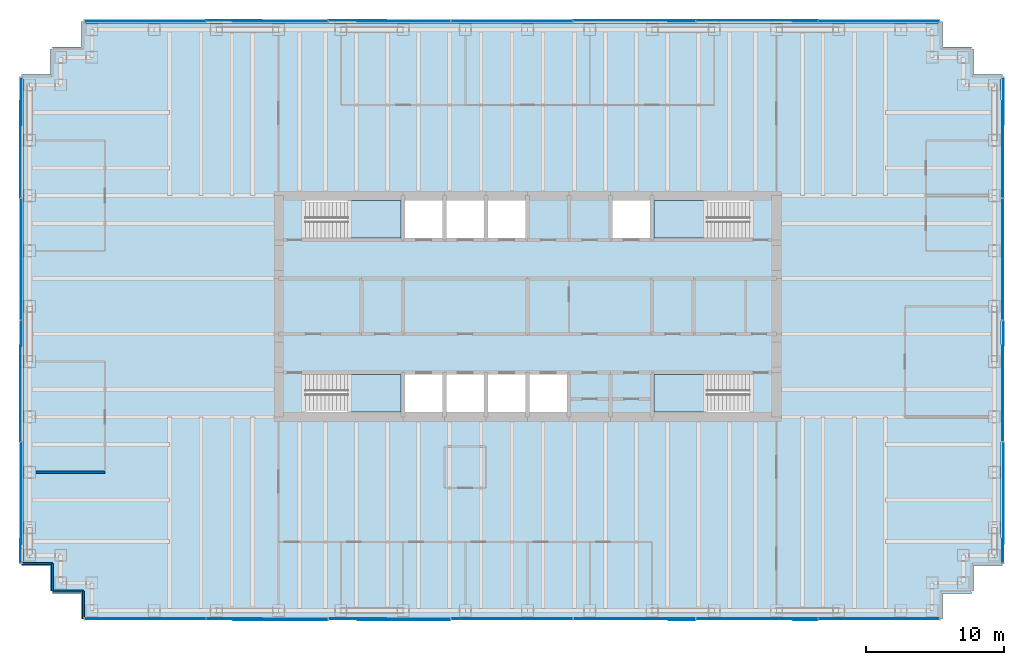
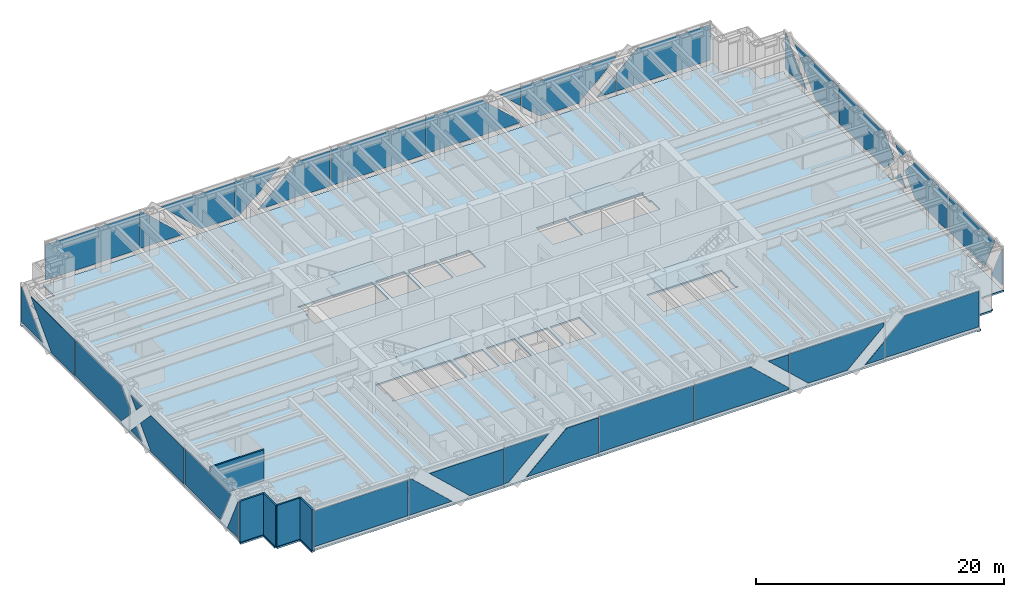
# One storey, part 10 of 15: 38 plates, 5 slabs, 5 walls, 8 elements without a shape of their own.
"""IFC4 building model written with IfcOpenShell, lengths in metres."""

from ifc_helpers import new_model, si_unit, direction, frame, frame_2d, origin, origin_2d, place, context, subcontext, project, spatial, polyline, rectangle, outline, extrude, material, layer, layer_set, type_object, element, aggregate, save


model = new_model("IFC4")

# Units and contexts
model_context = context("Model", 3, precision=1e-05, world=origin(), true_north=direction((0.0, 1.0)))
body_context = subcontext(model_context, "Body", "Model", "MODEL_VIEW")
ifc_project = project(units=[si_unit("LENGTHUNIT", "METRE"), si_unit("AREAUNIT", "SQUARE_METRE"), si_unit("VOLUMEUNIT", "CUBIC_METRE"), si_unit("PLANEANGLEUNIT", "RADIAN"), si_unit("MASSUNIT", "GRAM", prefix="KILO")], contexts=[model_context])

# Site, building, storey
site_placement = place(None, origin())
site = spatial("IfcSite", under=ifc_project, at=site_placement, CompositionType="ELEMENT")
building_placement = place(site_placement, origin())
building = spatial("IfcBuilding", under=site, at=building_placement, Name="Rheinbord Bourse Tower", CompositionType="ELEMENT")
storey_placement = place(building_placement, frame((0.0, 0.0, 292.10009765625)))
storey = spatial("IfcBuildingStorey", under=building, at=storey_placement, Name="L66", CompositionType="ELEMENT", Elevation=292.10009765625)

# Slab
ifc_material_1 = material(Name="Concrete C30/37", Category="concrete")
ifc_layer_1 = layer(ifc_material_1, 0.159912109375)
ifc_layer_set_1 = layer_set([ifc_layer_1], Name="COMPOSITE FLOOR SLAB 160")
slab_type_1 = type_object("IfcSlabType", Name="COMPOSITE FLOOR SLAB 160", PredefinedType="FLOOR", material=ifc_layer_set_1)
slab_1_placement = place(storey_placement, frame((0.0, 0.0, -0.16015625)))
element("IfcSlab", 1, at=slab_1_placement, inside=storey, type_object=slab_type_1, Name="Floor slab L66", PredefinedType="FLOOR", context=body_context, shape_type="SweptSolid", body=[
    extrude(outline(polyline([(1.64990234375, 3.39990234375), (1.5, 3.39990234375), (1.5, 5.25), (-0.60009765625, 5.25), (-0.60009765625, 5.550048828125), (-0.5, 5.550048828125), (-0.5, 40.449951171875), (-0.60009765625, 40.449951171875), (-0.60009765625, 40.75), (1.5, 40.75), (1.5, 42.60009765625), (1.64990234375, 42.60009765625), (1.64990234375, 42.75), (3.75, 42.75), (3.75, 44.60009765625), (4.050048828125, 44.60009765625), (4.050048828125, 44.5), (65.699951171875, 44.5), (65.699951171875, 44.60009765625), (66.0, 44.60009765625), (66.0, 42.75), (68.10009765625, 42.75), (68.10009765625, 42.60009765625), (68.25, 42.60009765625), (68.25, 40.75), (70.35009765625, 40.75), (70.35009765625, 40.449951171875), (70.25, 40.449951171875), (70.25, 5.550048828125), (70.35009765625, 5.550048828125), (70.35009765625, 5.25), (68.25, 5.25), (68.25, 3.39990234375), (68.10009765625, 3.39990234375), (68.10009765625, 3.25), (66.0, 3.25), (66.0, 1.39990234375), (65.699951171875, 1.39990234375), (65.699951171875, 1.5), (4.050048828125, 1.5), (4.050048828125, 1.39990234375), (3.75, 1.39990234375), (3.75, 3.25), (1.64990234375, 3.25), (1.64990234375, 3.39990234375)]), holes=[polyline([(19.949951171875, 19.050048828125), (26.85009765625, 19.050048828125), (26.85009765625, 16.35009765625), (19.949951171875, 16.35009765625), (19.949951171875, 16.449951171875), (20.10009765625, 16.449951171875), (20.10009765625, 17.64990234375), (19.949951171875, 17.64990234375), (19.949951171875, 19.050048828125)]), polyline([(19.949951171875, 31.64990234375), (26.85009765625, 31.64990234375), (26.85009765625, 28.949951171875), (19.949951171875, 28.949951171875), (19.949951171875, 30.35009765625), (20.10009765625, 30.35009765625), (20.10009765625, 31.550048828125), (19.949951171875, 31.550048828125), (19.949951171875, 31.64990234375)]), polyline([(52.050048828125, 16.35009765625), (45.14990234375, 16.35009765625), (45.14990234375, 19.050048828125), (52.050048828125, 19.050048828125), (52.050048828125, 17.64990234375), (51.89990234375, 17.64990234375), (51.89990234375, 16.449951171875), (52.050048828125, 16.449951171875), (52.050048828125, 16.35009765625)]), polyline([(52.050048828125, 28.949951171875), (45.14990234375, 28.949951171875), (45.14990234375, 31.64990234375), (52.050048828125, 31.64990234375), (52.050048828125, 31.550048828125), (51.89990234375, 31.550048828125), (51.89990234375, 30.35009765625), (52.050048828125, 30.35009765625), (52.050048828125, 28.949951171875)]), polyline([(27.14990234375, 16.35009765625), (27.14990234375, 19.050048828125), (29.85009765625, 19.050048828125), (29.85009765625, 16.35009765625), (27.14990234375, 16.35009765625)]), polyline([(27.14990234375, 28.949951171875), (27.14990234375, 31.64990234375), (29.85009765625, 31.64990234375), (29.85009765625, 28.949951171875), (27.14990234375, 28.949951171875)]), polyline([(30.14990234375, 16.35009765625), (30.14990234375, 19.050048828125), (32.85009765625, 19.050048828125), (32.85009765625, 16.35009765625), (30.14990234375, 16.35009765625)]), polyline([(30.14990234375, 28.949951171875), (30.14990234375, 31.64990234375), (32.85009765625, 31.64990234375), (32.85009765625, 28.949951171875), (30.14990234375, 28.949951171875)]), polyline([(33.14990234375, 16.35009765625), (33.14990234375, 19.050048828125), (35.85009765625, 19.050048828125), (35.85009765625, 16.35009765625), (33.14990234375, 16.35009765625)]), polyline([(33.14990234375, 28.949951171875), (33.14990234375, 31.64990234375), (35.85009765625, 31.64990234375), (35.85009765625, 28.949951171875), (33.14990234375, 28.949951171875)]), polyline([(36.14990234375, 16.35009765625), (36.14990234375, 19.050048828125), (38.85009765625, 19.050048828125), (38.85009765625, 16.35009765625), (36.14990234375, 16.35009765625)]), polyline([(42.14990234375, 28.949951171875), (42.14990234375, 31.64990234375), (44.85009765625, 31.64990234375), (44.85009765625, 28.949951171875), (42.14990234375, 28.949951171875)])]), origin(), (0.0, 0.0, 1.0), 0.16015625),
])

# Curtain wall, plates
ifc_material_2 = material(Name="Dark glass and black aluminium", Category="aluminium")
curtain_wall_type = type_object("IfcCurtainWallType", Name="CW3 DARK GLASS CURTAIN WALL", PredefinedType="USERDEFINED", material=ifc_material_2)
curtain_wall_1_placement = place(storey_placement, origin())
curtain_wall_1 = element("IfcCurtainWall", 2, at=curtain_wall_1_placement, inside=storey, type_object=curtain_wall_type, Name="Curtain wall CW3 S L66", ObjectType="UNITISED CURTAIN WALL", PredefinedType="USERDEFINED")
ifc_material_3 = material(Name="Dark tinted triple insulating glass", Category="glass")
ifc_layer_2 = layer(ifc_material_3, 0.055908203125)
ifc_layer_set_2 = layer_set([ifc_layer_2], Name="CW3 DARK GLASS PANEL")
plate_type = type_object("IfcPlateType", Name="CW3 DARK GLASS PANEL", PredefinedType="CURTAIN_PANEL", material=ifc_layer_set_2)
plate_1_placement = place(storey_placement, frame((8.34130859375, 1.39990234375, 0.349853515625), z_axis=(0.0, 0.0, 1.0), x_axis=(1.0, 0.0, 0.0)))
plate_1 = element("IfcPlate", 3, at=plate_1_placement, type_object=plate_type, Name="CW3 panel 1.1", PredefinedType="CURTAIN_PANEL", context=body_context, shape_type="SweptSolid", body=[
    extrude(rectangle(XDim=8.75244140625, YDim=0.055908203125, at=origin_2d()), origin(), (0.0, 0.0, 1.0), 3.5),
])
plate_2_placement = place(storey_placement, frame((34.875, 1.39990234375, 0.349853515625), z_axis=(0.0, 0.0, 1.0), x_axis=(1.0, 0.0, 0.0)))
plate_2 = element("IfcPlate", 4, at=plate_2_placement, type_object=plate_type, Name="CW3 panel 4.1", PredefinedType="CURTAIN_PANEL", context=body_context, shape_type="SweptSolid", body=[
    extrude(rectangle(XDim=8.784912109375, YDim=0.055908203125, at=origin_2d()), origin(), (0.0, 0.0, 1.0), 3.5),
])
plate_3_placement = place(storey_placement, frame((12.782958984375, 1.3720703125, 0.349853515625), z_axis=(0.0, 1.0, 0.0), x_axis=(0.0, 0.0, 1.0)))
plate_3 = element("IfcPlate", 5, at=plate_3_placement, type_object=plate_type, Name="CW3 glass facet 1", PredefinedType="CURTAIN_PANEL", context=body_context, shape_type="SweptSolid", body=[
    extrude(outline(polyline([(0.0, 0.0), (3.5, 0.0), (3.5, 0.280029296875), (0.0, 4.030029296875), (0.0, 0.0)])), origin(), (0.0, 0.0, 1.0), 0.055908203125),
])
plate_4_placement = place(storey_placement, frame((21.56689453125, 1.31103515625, 3.849853515625), z_axis=(0.0, 1.0, 0.0), x_axis=(0.0, 0.0, -1.0)))
plate_4 = element("IfcPlate", 6, at=plate_4_placement, type_object=plate_type, Name="CW3 glass facet 2", PredefinedType="CURTAIN_PANEL", context=body_context, shape_type="SweptSolid", body=[
    extrude(outline(polyline([(0.0, 0.0), (3.5, 0.0), (3.5, 3.1298828125), (0.0, 6.8798828125), (0.0, 0.0)])), origin(), (0.0, 0.0, 1.0), 0.055908203125),
])
plate_5_placement = place(storey_placement, frame((21.633056640625, 1.3720703125, 0.349853515625), z_axis=(0.0, 1.0, 0.0), x_axis=(0.0, 0.0, 1.0)))
plate_5 = element("IfcPlate", 7, at=plate_5_placement, type_object=plate_type, Name="CW3 glass facet 1", PredefinedType="CURTAIN_PANEL", context=body_context, shape_type="SweptSolid", body=[
    extrude(outline(polyline([(0.0, 0.0), (3.5, 0.0), (3.5, 4.179931640625), (0.0, 0.429931640625), (0.0, 0.0)])), origin(), (0.0, 0.0, 1.0), 0.055908203125),
])
plate_6_placement = place(storey_placement, frame((30.4169921875, 1.31103515625, 3.849853515625), z_axis=(0.0, 1.0, 0.0), x_axis=(0.0, 0.0, -1.0)))
plate_6 = element("IfcPlate", 8, at=plate_6_placement, type_object=plate_type, Name="CW3 glass facet 2", PredefinedType="CURTAIN_PANEL", context=body_context, shape_type="SweptSolid", body=[
    extrude(outline(polyline([(0.0, 0.0), (3.5, 0.0), (3.5, 6.72998046875), (0.0, 2.97998046875), (0.0, 0.0)])), origin(), (0.0, 0.0, 1.0), 0.055908203125),
])
plate_7_placement = place(storey_placement, frame((48.116943359375, 1.3720703125, 0.349853515625), z_axis=(0.0, 1.0, 0.0), x_axis=(-1.0, 0.0, 0.0)))
plate_7 = element("IfcPlate", 9, at=plate_7_placement, type_object=plate_type, Name="CW3 glass facet 1", PredefinedType="CURTAIN_PANEL", context=body_context, shape_type="SweptSolid", body=[
    extrude(outline(polyline([(0.0, 0.0), (8.783935546875, 0.0), (8.783935546875, 3.5), (3.553955078125, 3.5), (0.0, 0.18310546875), (0.0, 0.0)])), origin(), (0.0, 0.0, 1.0), 0.055908203125),
])
plate_8_placement = place(storey_placement, frame((48.116943359375, 1.31103515625, 3.849853515625), z_axis=(0.0, 1.0, 0.0), x_axis=(0.0, 0.0, -1.0)))
plate_8 = element("IfcPlate", 10, at=plate_8_placement, type_object=plate_type, Name="CW3 glass facet 2", PredefinedType="CURTAIN_PANEL", context=body_context, shape_type="SweptSolid", body=[
    extrude(outline(polyline([(0.0, 0.0), (1.802001953125, 0.0), (0.0, 1.929931640625), (0.0, 0.0)])), origin(), (0.0, 0.0, 1.0), 0.055908203125),
])
plate_9_placement = place(storey_placement, frame((49.93701171875, 1.3720703125, 0.349853515625), z_axis=(0.0, 1.0, 0.0), x_axis=(-0.731295398421, 0.0, 0.682060877231)))
plate_9 = element("IfcPlate", 11, at=plate_9_placement, type_object=plate_type, Name="CW3 glass facet 1", PredefinedType="CURTAIN_PANEL", context=body_context, shape_type="SweptSolid", body=[
    extrude(outline(polyline([(0.0, 0.0), (2.400146484375, 0.0), (3.670654296875, 1.362548828125), (-2.75390625, 7.3544921875), (-2.97412109375, 7.1181640625), (-2.651611328125, 2.47314453125), (0.0, 0.0)])), origin(), (0.0, 0.0, 1.0), 0.055908203125),
])
plate_10_placement = place(storey_placement, frame((56.967041015625, 1.31103515625, 0.349853515625), z_axis=(0.0, 1.0, 0.0), x_axis=(-1.0, 0.0, 0.0)))
plate_10 = element("IfcPlate", 12, at=plate_10_placement, type_object=plate_type, Name="CW3 glass facet 2", PredefinedType="CURTAIN_PANEL", context=body_context, shape_type="SweptSolid", body=[
    extrude(outline(polyline([(0.0, 0.0), (1.780029296875, 0.0), (0.0, 1.662109375), (0.0, 0.0)])), origin(), (0.0, 0.0, 1.0), 0.055908203125),
])
plate_11_placement = place(storey_placement, frame((65.784912109375, 1.3720703125, 3.849853515625), z_axis=(0.0, 1.0, 0.0), x_axis=(0.0, 0.0, -1.0)))
plate_11 = element("IfcPlate", 13, at=plate_11_placement, type_object=plate_type, Name="CW3 glass facet 1", PredefinedType="CURTAIN_PANEL", context=body_context, shape_type="SweptSolid", body=[
    extrude(outline(polyline([(0.0, 0.0), (3.5, 0.0), (3.5, 8.7529296875), (1.77685546875, 8.7529296875), (0.0, 6.847900390625), (0.0, 0.0)])), origin(), (0.0, 0.0, 1.0), 0.055908203125),
])
aggregate(curtain_wall_1, [plate_1, plate_2, plate_3, plate_4, plate_5, plate_6, plate_7, plate_8, plate_9, plate_10, plate_11])

curtain_wall_2_placement = place(storey_placement, origin())
curtain_wall_2 = element("IfcCurtainWall", 14, at=curtain_wall_2_placement, inside=storey, type_object=curtain_wall_type, Name="Curtain wall CW3 E L66", ObjectType="UNITISED CURTAIN WALL", PredefinedType="USERDEFINED")
plate_12_placement = place(storey_placement, frame((70.3779296875, 5.465087890625, 0.349853515625), z_axis=(-1.0, 0.0, 0.0), x_axis=(0.0, 0.0, 1.0)))
plate_12 = element("IfcPlate", 15, at=plate_12_placement, type_object=plate_type, Name="CW3 glass facet 1", PredefinedType="CURTAIN_PANEL", context=body_context, shape_type="SweptSolid", body=[
    extrude(outline(polyline([(0.0, 0.0), (3.5, 0.0), (3.5, 0.087890625), (0.0, 1.7548828125), (0.0, 0.0)])), origin(), (0.0, 0.0, 1.0), 0.055908203125),
])
plate_13_placement = place(storey_placement, frame((70.43896484375, 14.16796875, 3.849853515625), z_axis=(-1.0, 0.0, 0.0), x_axis=(0.0, 0.0, -1.0)))
plate_13 = element("IfcPlate", 16, at=plate_13_placement, type_object=plate_type, Name="CW3 glass facet 2", PredefinedType="CURTAIN_PANEL", context=body_context, shape_type="SweptSolid", body=[
    extrude(outline(polyline([(0.0, 0.0), (3.5, 0.0), (3.5, 5.720947265625), (0.0, 7.387939453125), (0.0, 0.0)])), origin(), (0.0, 0.0, 1.0), 0.055908203125),
])
plate_14_placement = place(storey_placement, frame((70.3779296875, 14.23193359375, 0.349853515625), z_axis=(-1.0, 0.0, 0.0), x_axis=(0.0, 0.0, 1.0)))
plate_14 = element("IfcPlate", 17, at=plate_14_placement, type_object=plate_type, Name="CW3 glass facet 1", PredefinedType="CURTAIN_PANEL", context=body_context, shape_type="SweptSolid", body=[
    extrude(outline(polyline([(0.0, 0.0), (3.5, 0.0), (3.5, 5.336181640625), (1.75, 7.003173828125), (0.0, 5.336181640625), (0.0, 0.0)])), origin(), (0.0, 0.0, 1.0), 0.055908203125),
])
plate_15_placement = place(storey_placement, frame((70.43896484375, 21.097900390625, 0.349853515625), z_axis=(-1.0, 0.0, 0.0), x_axis=(0.0, 0.689725085129, 0.72407134106)))
plate_15 = element("IfcPlate", 18, at=plate_15_placement, type_object=plate_type, Name="CW3 glass facet 2", PredefinedType="CURTAIN_PANEL", context=body_context, shape_type="SweptSolid", body=[
    extrude(outline(polyline([(0.0, 0.0), (1.307861328125, 0.0), (1.244384765625, 1.306396484375), (0.0, 0.0)])), origin(), (0.0, 0.0, 1.0), 0.055908203125),
])
plate_16_placement = place(storey_placement, frame((70.43896484375, 22.902099609375, 3.849853515625), z_axis=(-1.0, 0.0, 0.0), x_axis=(0.0, -0.689725085129, -0.72407134106)))
plate_16 = element("IfcPlate", 19, at=plate_16_placement, type_object=plate_type, Name="CW3 glass facet 3", PredefinedType="CURTAIN_PANEL", context=body_context, shape_type="SweptSolid", body=[
    extrude(outline(polyline([(0.0, 0.0), (1.307861328125, 0.0), (1.244384765625, 1.306396484375), (0.0, 0.0)])), origin(), (0.0, 0.0, 1.0), 0.055908203125),
])
plate_17_placement = place(storey_placement, frame((70.3779296875, 31.76708984375, 3.849853515625), z_axis=(-1.0, 0.0, 0.0), x_axis=(0.0, 0.0, -1.0)))
plate_17 = element("IfcPlate", 20, at=plate_17_placement, type_object=plate_type, Name="CW3 glass facet 1", PredefinedType="CURTAIN_PANEL", context=body_context, shape_type="SweptSolid", body=[
    extrude(outline(polyline([(0.0, 0.0), (3.5, 0.0), (3.5, 7.335205078125), (2.031005859375, 8.735107421875), (1.468994140625, 8.735107421875), (0.0, 7.335205078125), (0.0, 0.0)])), origin(), (0.0, 0.0, 1.0), 0.055908203125),
])
plate_18_placement = place(storey_placement, frame((70.3779296875, 31.8330078125, 0.349853515625), z_axis=(-1.0, 0.0, 0.0), x_axis=(0.0, 0.0, 1.0)))
plate_18 = element("IfcPlate", 21, at=plate_18_placement, type_object=plate_type, Name="CW3 glass facet 1", PredefinedType="CURTAIN_PANEL", context=body_context, shape_type="SweptSolid", body=[
    extrude(outline(polyline([(0.0, 0.0), (3.5, 0.0), (3.5, 7.069091796875), (0.0, 3.735107421875), (0.0, 0.0)])), origin(), (0.0, 0.0, 1.0), 0.055908203125),
])
plate_19_placement = place(storey_placement, frame((70.43896484375, 40.534912109375, 3.849853515625), z_axis=(-1.0, 0.0, 0.0), x_axis=(0.0, 0.0, -1.0)))
plate_19 = element("IfcPlate", 22, at=plate_19_placement, type_object=plate_type, Name="CW3 glass facet 2", PredefinedType="CURTAIN_PANEL", context=body_context, shape_type="SweptSolid", body=[
    extrude(outline(polyline([(0.0, 0.0), (3.5, 0.0), (3.5, 3.43701171875), (0.0, 0.10302734375), (0.0, 0.0)])), origin(), (0.0, 0.0, 1.0), 0.055908203125),
])
aggregate(curtain_wall_2, [plate_12, plate_13, plate_14, plate_15, plate_16, plate_17, plate_18, plate_19])

curtain_wall_3_placement = place(storey_placement, origin())
curtain_wall_3 = element("IfcCurtainWall", 23, at=curtain_wall_3_placement, inside=storey, type_object=curtain_wall_type, Name="Curtain wall CW3 N L66", ObjectType="UNITISED CURTAIN WALL", PredefinedType="USERDEFINED")
plate_20_placement = place(storey_placement, frame((34.875, 44.60009765625, 0.349853515625), z_axis=(0.0, 0.0, 1.0), x_axis=(-1.0, 0.0, 0.0)))
plate_20 = element("IfcPlate", 24, at=plate_20_placement, type_object=plate_type, Name="CW3 panel 4.1", PredefinedType="CURTAIN_PANEL", context=body_context, shape_type="SweptSolid", body=[
    extrude(rectangle(XDim=8.784912109375, YDim=0.055908203125, at=origin_2d()), origin(), (0.0, 0.0, 1.0), 3.5),
])
plate_21_placement = place(storey_placement, frame((8.34130859375, 44.60009765625, 0.349853515625), z_axis=(0.0, 0.0, 1.0), x_axis=(-1.0, 0.0, 0.0)))
plate_21 = element("IfcPlate", 25, at=plate_21_placement, type_object=plate_type, Name="CW3 panel 7.1", PredefinedType="CURTAIN_PANEL", context=body_context, shape_type="SweptSolid", body=[
    extrude(rectangle(XDim=8.75244140625, YDim=0.055908203125, at=origin_2d()), origin(), (0.0, 0.0, 1.0), 3.5),
])
plate_22_placement = place(storey_placement, frame((57.031982421875, 44.6279296875, 0.349853515625), z_axis=(0.0, -1.0, 0.0), x_axis=(1.0, 0.0, 0.0)))
plate_22 = element("IfcPlate", 26, at=plate_22_placement, type_object=plate_type, Name="CW3 glass facet 1", PredefinedType="CURTAIN_PANEL", context=body_context, shape_type="SweptSolid", body=[
    extrude(outline(polyline([(0.0, 0.0), (8.7529296875, 0.0), (8.7529296875, 3.5), (1.905029296875, 3.5), (0.0, 1.72314453125), (0.0, 0.0)])), origin(), (0.0, 0.0, 1.0), 0.055908203125),
])
plate_23_placement = place(storey_placement, frame((56.967041015625, 44.6279296875, 0.349853515625), z_axis=(0.0, -1.0, 0.0), x_axis=(0.0, 0.0, 1.0)))
plate_23 = element("IfcPlate", 27, at=plate_23_placement, type_object=plate_type, Name="CW3 glass facet 1", PredefinedType="CURTAIN_PANEL", context=body_context, shape_type="SweptSolid", body=[
    extrude(outline(polyline([(0.0, 0.0), (1.662109375, 0.0), (0.0, 1.780029296875), (0.0, 0.0)])), origin(), (0.0, 0.0, 1.0), 0.055908203125),
])
plate_24_placement = place(storey_placement, frame((53.56298828125, 44.68896484375, 0.349853515625), z_axis=(0.0, -1.0, 0.0), x_axis=(0.731067473335, 0.0, 0.682305173241)))
plate_24 = element("IfcPlate", 28, at=plate_24_placement, type_object=plate_type, Name="CW3 glass facet 2", PredefinedType="CURTAIN_PANEL", context=body_context, shape_type="SweptSolid", body=[
    extrude(outline(polyline([(0.0, 0.0), (4.65625, 0.0), (4.876708984375, 0.236083984375), (-1.5458984375, 6.230224609375), (-2.817138671875, 4.8681640625), (-2.65087890625, 2.47412109375), (0.0, 0.0)])), origin(), (0.0, 0.0, 1.0), 0.055908203125),
])
plate_25_placement = place(storey_placement, frame((48.116943359375, 44.6279296875, 3.849853515625), z_axis=(0.0, -1.0, 0.0), x_axis=(-1.0, 0.0, 0.0)))
plate_25 = element("IfcPlate", 29, at=plate_25_placement, type_object=plate_type, Name="CW3 glass facet 1", PredefinedType="CURTAIN_PANEL", context=body_context, shape_type="SweptSolid", body=[
    extrude(outline(polyline([(0.0, 0.0), (1.929931640625, 0.0), (0.0, 1.802001953125), (0.0, 0.0)])), origin(), (0.0, 0.0, 1.0), 0.055908203125),
])
plate_26_placement = place(storey_placement, frame((39.33203125, 44.68896484375, 3.849853515625), z_axis=(0.0, -1.0, 0.0), x_axis=(0.0, 0.0, -1.0)))
plate_26 = element("IfcPlate", 30, at=plate_26_placement, type_object=plate_type, Name="CW3 glass facet 2", PredefinedType="CURTAIN_PANEL", context=body_context, shape_type="SweptSolid", body=[
    extrude(outline(polyline([(0.0, 0.0), (3.5, 0.0), (3.5, 8.784912109375), (3.31689453125, 8.784912109375), (0.0, 5.23095703125), (0.0, 0.0)])), origin(), (0.0, 0.0, 1.0), 0.055908203125),
])
plate_27_placement = place(storey_placement, frame((30.4169921875, 44.6279296875, 0.349853515625), z_axis=(0.0, -1.0, 0.0), x_axis=(0.0, 0.0, 1.0)))
plate_27 = element("IfcPlate", 31, at=plate_27_placement, type_object=plate_type, Name="CW3 glass facet 1", PredefinedType="CURTAIN_PANEL", context=body_context, shape_type="SweptSolid", body=[
    extrude(outline(polyline([(0.0, 0.0), (3.5, 0.0), (3.5, 2.97998046875), (0.0, 6.72998046875), (0.0, 0.0)])), origin(), (0.0, 0.0, 1.0), 0.055908203125),
])
plate_28_placement = place(storey_placement, frame((21.632080078125, 44.68896484375, 3.849853515625), z_axis=(0.0, -1.0, 0.0), x_axis=(0.0, 0.0, -1.0)))
plate_28 = element("IfcPlate", 32, at=plate_28_placement, type_object=plate_type, Name="CW3 glass facet 2", PredefinedType="CURTAIN_PANEL", context=body_context, shape_type="SweptSolid", body=[
    extrude(outline(polyline([(0.0, 0.0), (3.5, 0.0), (3.5, 0.430908203125), (0.0, 4.180908203125), (0.0, 0.0)])), origin(), (0.0, 0.0, 1.0), 0.055908203125),
])
plate_29_placement = place(storey_placement, frame((21.56689453125, 44.6279296875, 0.349853515625), z_axis=(0.0, -1.0, 0.0), x_axis=(0.0, 0.0, 1.0)))
plate_29 = element("IfcPlate", 33, at=plate_29_placement, type_object=plate_type, Name="CW3 glass facet 1", PredefinedType="CURTAIN_PANEL", context=body_context, shape_type="SweptSolid", body=[
    extrude(outline(polyline([(0.0, 0.0), (3.5, 0.0), (3.5, 6.8798828125), (0.0, 3.1298828125), (0.0, 0.0)])), origin(), (0.0, 0.0, 1.0), 0.055908203125),
])
plate_30_placement = place(storey_placement, frame((12.781982421875, 44.68896484375, 3.849853515625), z_axis=(0.0, -1.0, 0.0), x_axis=(0.0, 0.0, -1.0)))
plate_30 = element("IfcPlate", 34, at=plate_30_placement, type_object=plate_type, Name="CW3 glass facet 2", PredefinedType="CURTAIN_PANEL", context=body_context, shape_type="SweptSolid", body=[
    extrude(outline(polyline([(0.0, 0.0), (3.5, 0.0), (3.5, 4.031005859375), (0.0, 0.281005859375), (0.0, 0.0)])), origin(), (0.0, 0.0, 1.0), 0.055908203125),
])
aggregate(curtain_wall_3, [plate_20, plate_21, plate_22, plate_23, plate_24, plate_25, plate_26, plate_27, plate_28, plate_29, plate_30])

curtain_wall_4_placement = place(storey_placement, origin())
curtain_wall_4 = element("IfcCurtainWall", 35, at=curtain_wall_4_placement, inside=storey, type_object=curtain_wall_type, Name="Curtain wall CW3 W L66", ObjectType="UNITISED CURTAIN WALL", PredefinedType="USERDEFINED")
plate_31_placement = place(storey_placement, frame((-0.6279296875, 40.534912109375, 0.349853515625), z_axis=(1.0, 0.0, 0.0), x_axis=(0.0, 0.0, 1.0)))
plate_31 = element("IfcPlate", 36, at=plate_31_placement, type_object=plate_type, Name="CW3 glass facet 1", PredefinedType="CURTAIN_PANEL", context=body_context, shape_type="SweptSolid", body=[
    extrude(outline(polyline([(0.0, 0.0), (3.5, 0.0), (3.5, 0.10302734375), (0.0, 3.43701171875), (0.0, 0.0)])), origin(), (0.0, 0.0, 1.0), 0.055908203125),
])
plate_32_placement = place(storey_placement, frame((-0.68896484375, 31.8330078125, 3.849853515625), z_axis=(1.0, 0.0, 0.0), x_axis=(0.0, 0.0, -1.0)))
plate_32 = element("IfcPlate", 37, at=plate_32_placement, type_object=plate_type, Name="CW3 glass facet 2", PredefinedType="CURTAIN_PANEL", context=body_context, shape_type="SweptSolid", body=[
    extrude(outline(polyline([(0.0, 0.0), (3.5, 0.0), (3.5, 3.735107421875), (0.0, 7.069091796875), (0.0, 0.0)])), origin(), (0.0, 0.0, 1.0), 0.055908203125),
])
plate_33_placement = place(storey_placement, frame((-0.6279296875, 31.76708984375, 0.349853515625), z_axis=(1.0, 0.0, 0.0), x_axis=(0.0, 0.0, 1.0)))
plate_33 = element("IfcPlate", 38, at=plate_33_placement, type_object=plate_type, Name="CW3 glass facet 1", PredefinedType="CURTAIN_PANEL", context=body_context, shape_type="SweptSolid", body=[
    extrude(outline(polyline([(0.0, 0.0), (3.5, 0.0), (3.5, 7.335205078125), (2.031005859375, 8.735107421875), (1.468994140625, 8.735107421875), (0.0, 7.335205078125), (0.0, 0.0)])), origin(), (0.0, 0.0, 1.0), 0.055908203125),
])
plate_34_placement = place(storey_placement, frame((-0.6279296875, 22.902099609375, 0.349853515625), z_axis=(1.0, 0.0, 0.0), x_axis=(0.0, -0.689725085129, 0.72407134106)))
plate_34 = element("IfcPlate", 39, at=plate_34_placement, type_object=plate_type, Name="CW3 glass facet 1", PredefinedType="CURTAIN_PANEL", context=body_context, shape_type="SweptSolid", body=[
    extrude(outline(polyline([(0.0, 0.0), (1.307861328125, 0.0), (1.244384765625, 1.306396484375), (0.0, 0.0)])), origin(), (0.0, 0.0, 1.0), 0.055908203125),
])
plate_35_placement = place(storey_placement, frame((-0.6279296875, 21.097900390625, 3.849853515625), z_axis=(1.0, 0.0, 0.0), x_axis=(0.0, 0.689725085129, -0.72407134106)))
plate_35 = element("IfcPlate", 40, at=plate_35_placement, type_object=plate_type, Name="CW3 glass facet 2", PredefinedType="CURTAIN_PANEL", context=body_context, shape_type="SweptSolid", body=[
    extrude(outline(polyline([(0.0, 0.0), (1.307861328125, 0.0), (1.244384765625, 1.306396484375), (0.0, 0.0)])), origin(), (0.0, 0.0, 1.0), 0.055908203125),
])
plate_36_placement = place(storey_placement, frame((-0.68896484375, 14.23291015625, 3.849853515625), z_axis=(1.0, 0.0, 0.0), x_axis=(0.0, 0.0, -1.0)))
plate_36 = element("IfcPlate", 41, at=plate_36_placement, type_object=plate_type, Name="CW3 glass facet 3", PredefinedType="CURTAIN_PANEL", context=body_context, shape_type="SweptSolid", body=[
    extrude(outline(polyline([(0.0, 0.0), (3.5, 0.0), (3.5, 5.335205078125), (1.75, 7.002197265625), (0.0, 5.335205078125), (0.0, 0.0)])), origin(), (0.0, 0.0, 1.0), 0.055908203125),
])
plate_37_placement = place(storey_placement, frame((-0.6279296875, 14.1669921875, 0.349853515625), z_axis=(1.0, 0.0, 0.0), x_axis=(0.0, 0.0, 1.0)))
plate_37 = element("IfcPlate", 42, at=plate_37_placement, type_object=plate_type, Name="CW3 glass facet 1", PredefinedType="CURTAIN_PANEL", context=body_context, shape_type="SweptSolid", body=[
    extrude(outline(polyline([(0.0, 0.0), (3.5, 0.0), (3.5, 7.386962890625), (0.0, 5.719970703125), (0.0, 0.0)])), origin(), (0.0, 0.0, 1.0), 0.055908203125),
])
plate_38_placement = place(storey_placement, frame((-0.68896484375, 5.465087890625, 3.849853515625), z_axis=(1.0, 0.0, 0.0), x_axis=(0.0, 0.0, -1.0)))
plate_38 = element("IfcPlate", 43, at=plate_38_placement, type_object=plate_type, Name="CW3 glass facet 2", PredefinedType="CURTAIN_PANEL", context=body_context, shape_type="SweptSolid", body=[
    extrude(outline(polyline([(0.0, 0.0), (3.5, 0.0), (3.5, 1.7548828125), (0.0, 0.087890625), (0.0, 0.0)])), origin(), (0.0, 0.0, 1.0), 0.055908203125),
])
aggregate(curtain_wall_4, [plate_31, plate_32, plate_33, plate_34, plate_35, plate_36, plate_37, plate_38])

# Stair, slab
ifc_material_4 = material(Name="Concrete C30/37", Category="concrete")
stair_type = type_object("IfcStairType", Name="CORE STAIR HALF TURN 4200", PredefinedType="HALF_TURN_STAIR", material=ifc_material_4)
stair_1_placement = place(storey_placement, origin())
stair_1 = element("IfcStair", 44, at=stair_1_placement, inside=storey, type_object=stair_type, Name="Stair ST1 L66, type CS6", PredefinedType="HALF_TURN_STAIR")
ifc_material_5 = material(Name="Concrete C30/37", Category="concrete")
ifc_layer_3 = layer(ifc_material_5, 0.199951171875)
ifc_layer_set_3 = layer_set([ifc_layer_3], Name="STAIR LANDING 200")
slab_type_2 = type_object("IfcSlabType", Name="STAIR LANDING 200", PredefinedType="LANDING", material=ifc_layer_set_3)
slab_2_placement = place(storey_placement, frame((0.0, 0.0, 1.89990234375)))
slab_2 = element("IfcSlab", 45, at=slab_2_placement, type_object=slab_type_2, Name="Half landing ST1 L66", PredefinedType="LANDING", context=body_context, shape_type="SweptSolid", body=[
    extrude(outline(polyline([(23.030029296875, 16.35009765625), (26.85009765625, 16.35009765625), (26.85009765625, 19.050048828125), (21.748046875, 19.050048828125), (21.748046875, 17.85009765625), (23.030029296875, 17.85009765625), (23.030029296875, 16.35009765625)])), origin(), (0.0, 0.0, 1.0), 0.199951171875),
])
aggregate(stair_1, [slab_2])

stair_2_placement = place(storey_placement, origin())
stair_2 = element("IfcStair", 46, at=stair_2_placement, inside=storey, type_object=stair_type, Name="Stair ST2 L66, type CS6", PredefinedType="HALF_TURN_STAIR")
slab_3_placement = place(storey_placement, frame((0.0, 0.0, 1.89990234375)))
slab_3 = element("IfcSlab", 47, at=slab_3_placement, type_object=slab_type_2, Name="Half landing ST2 L66", PredefinedType="LANDING", context=body_context, shape_type="SweptSolid", body=[
    extrude(outline(polyline([(21.748046875, 28.949951171875), (26.85009765625, 28.949951171875), (26.85009765625, 31.64990234375), (23.030029296875, 31.64990234375), (23.030029296875, 30.14990234375), (21.748046875, 30.14990234375), (21.748046875, 28.949951171875)])), origin(), (0.0, 0.0, 1.0), 0.199951171875),
])
aggregate(stair_2, [slab_3])

stair_3_placement = place(storey_placement, origin())
stair_3 = element("IfcStair", 48, at=stair_3_placement, inside=storey, type_object=stair_type, Name="Stair ST3 L66, type CS6", PredefinedType="HALF_TURN_STAIR")
slab_4_placement = place(storey_placement, frame((0.0, 0.0, 1.89990234375)))
slab_4 = element("IfcSlab", 49, at=slab_4_placement, type_object=slab_type_2, Name="Half landing ST3 L66", PredefinedType="LANDING", context=body_context, shape_type="SweptSolid", body=[
    extrude(outline(polyline([(45.14990234375, 16.35009765625), (48.969970703125, 16.35009765625), (48.969970703125, 17.85009765625), (50.251953125, 17.85009765625), (50.251953125, 19.050048828125), (45.14990234375, 19.050048828125), (45.14990234375, 16.35009765625)])), origin(), (0.0, 0.0, 1.0), 0.199951171875),
])
aggregate(stair_3, [slab_4])

stair_4_placement = place(storey_placement, origin())
stair_4 = element("IfcStair", 50, at=stair_4_placement, inside=storey, type_object=stair_type, Name="Stair ST4 L66, type CS6", PredefinedType="HALF_TURN_STAIR")
slab_5_placement = place(storey_placement, frame((0.0, 0.0, 1.89990234375)))
slab_5 = element("IfcSlab", 51, at=slab_5_placement, type_object=slab_type_2, Name="Half landing ST4 L66", PredefinedType="LANDING", context=body_context, shape_type="SweptSolid", body=[
    extrude(outline(polyline([(45.14990234375, 28.949951171875), (50.251953125, 28.949951171875), (50.251953125, 30.14990234375), (48.969970703125, 30.14990234375), (48.969970703125, 31.64990234375), (45.14990234375, 31.64990234375), (45.14990234375, 28.949951171875)])), origin(), (0.0, 0.0, 1.0), 0.199951171875),
])
aggregate(stair_4, [slab_5])

# Walls
ifc_material_6 = material(Name="Black metal rainscreen panel", Category="aluminium")
ifc_layer_4 = layer(ifc_material_6, 0.14990234375)
ifc_layer_set_4 = layer_set([ifc_layer_4], Name="CORNER PIER CLADDING 150")
wall_type_1 = type_object("IfcWallType", Name="CORNER PIER CLADDING 150", PredefinedType="ELEMENTEDWALL", material=ifc_layer_set_4)
wall_1_placement = place(storey_placement, frame((-0.60009765625, 5.39990234375, 0.0), z_axis=(0.0, 0.0, 1.0), x_axis=(1.0, 0.0, 0.0)))
element("IfcWall", 52, at=wall_1_placement, inside=storey, type_object=wall_type_1, Name="Corner pier cladding L66 17", PredefinedType="ELEMENTEDWALL", context=body_context, shape_type="SweptSolid", body=[
    extrude(rectangle(XDim=2.25, YDim=0.14990234375, at=frame_2d((1.125, 0.0))), origin(), (0.0, 0.0, 1.0), 4.039794921875),
])
wall_2_placement = place(storey_placement, frame((1.64990234375, 5.39990234375, 0.0), z_axis=(0.0, 0.0, 1.0), x_axis=(0.0, -1.0, 0.0)))
element("IfcWall", 53, at=wall_2_placement, inside=storey, type_object=wall_type_1, Name="Corner pier cladding L66 18", PredefinedType="ELEMENTEDWALL", context=body_context, shape_type="SweptSolid", body=[
    extrude(rectangle(XDim=2.0, YDim=0.14990234375, at=frame_2d((1.0, 0.0))), origin(), (0.0, 0.0, 1.0), 4.039794921875),
])
wall_3_placement = place(storey_placement, frame((1.64990234375, 3.39990234375, 0.0), z_axis=(0.0, 0.0, 1.0), x_axis=(1.0, 0.0, 0.0)))
element("IfcWall", 54, at=wall_3_placement, inside=storey, type_object=wall_type_1, Name="Corner pier cladding L66 19", PredefinedType="ELEMENTEDWALL", context=body_context, shape_type="SweptSolid", body=[
    extrude(rectangle(XDim=2.25, YDim=0.14990234375, at=frame_2d((1.125, 0.0))), origin(), (0.0, 0.0, 1.0), 4.039794921875),
])
wall_4_placement = place(storey_placement, frame((3.89990234375, 3.39990234375, 0.0), z_axis=(0.0, 0.0, 1.0), x_axis=(0.0, -1.0, 0.0)))
element("IfcWall", 55, at=wall_4_placement, inside=storey, type_object=wall_type_1, Name="Corner pier cladding L66 20", PredefinedType="ELEMENTEDWALL", context=body_context, shape_type="SweptSolid", body=[
    extrude(rectangle(XDim=2.0, YDim=0.14990234375, at=frame_2d((1.0, 0.0))), origin(), (0.0, 0.0, 1.0), 4.039794921875),
])
ifc_material_7 = material(Name="Gypsum board fire partition", Category="gypsum board")
ifc_layer_5 = layer(ifc_material_7, 0.14990234375)
ifc_layer_set_5 = layer_set([ifc_layer_5], Name="FIRE PARTITION 150 EI60")
wall_type_2 = type_object("IfcWallType", Name="FIRE PARTITION 150 EI60", PredefinedType="PARTITIONING", material=ifc_layer_set_5)
wall_5_placement = place(storey_placement, frame((0.449951171875, 12.0, 0.0), z_axis=(0.0, 0.0, 1.0), x_axis=(1.0, 0.0, 0.0)))
element("IfcWall", 56, at=wall_5_placement, inside=storey, type_object=wall_type_2, Name="Partition L66-03", PredefinedType="PARTITIONING", context=body_context, shape_type="SweptSolid", body=[
    extrude(rectangle(XDim=5.0, YDim=0.14990234375, at=frame_2d((2.5, 0.0))), origin(), (0.0, 0.0, 1.0), 3.0),
])

save(model, "model.ifc")
